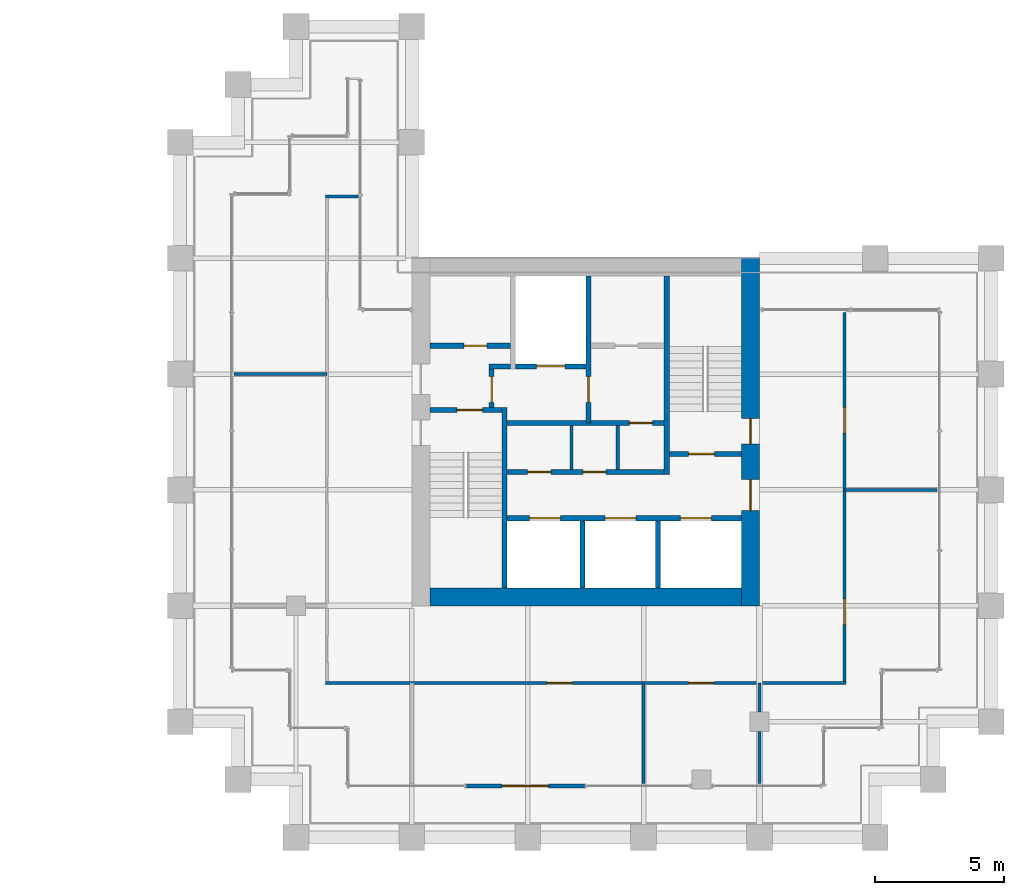
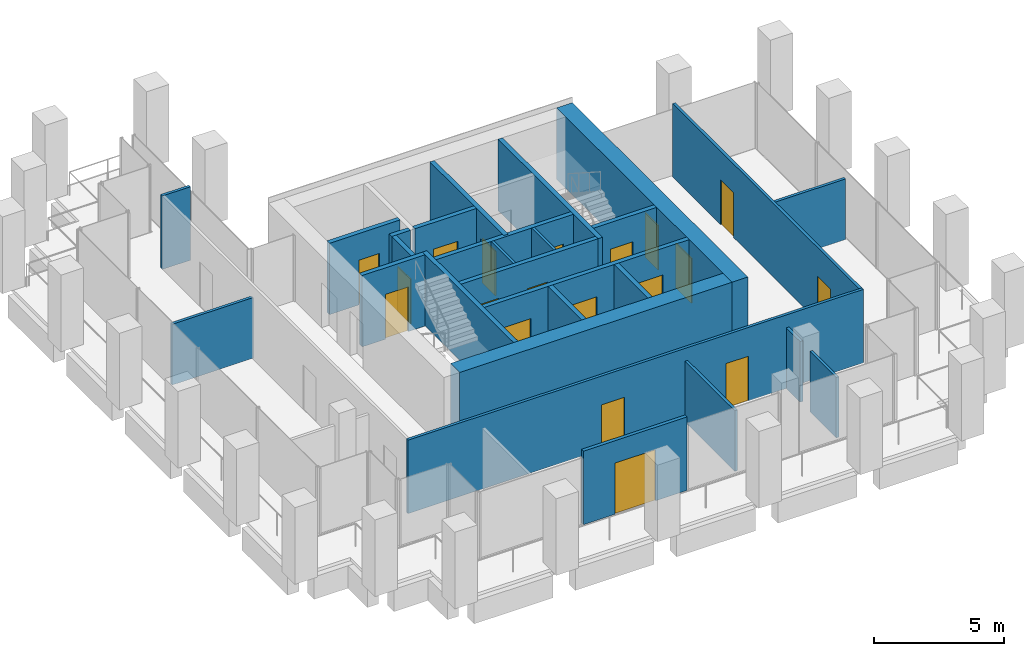
# One storey, part 43 of 46: 27 walls, 19 doors, 19 openings.
"""IFC4 building model written with IfcOpenShell, lengths in metres."""

from ifc_helpers import new_model, si_unit, direction, frame, frame_2d, origin, place, context, subcontext, project, spatial, rectangle, extrude, material, layer, layer_set, type_object, element, fill, save


model = new_model("IFC4")

# Units and contexts
model_context = context("Model", 3, precision=1e-05, world=origin(), true_north=direction((0.0, 1.0)))
body_context = subcontext(model_context, "Body", "Model", "MODEL_VIEW")
ifc_project = project(units=[si_unit("LENGTHUNIT", "METRE"), si_unit("AREAUNIT", "SQUARE_METRE"), si_unit("VOLUMEUNIT", "CUBIC_METRE"), si_unit("PLANEANGLEUNIT", "RADIAN"), si_unit("MASSUNIT", "GRAM", prefix="KILO")], contexts=[model_context])

# Site, building, storey
site_placement = place(None, origin())
site = spatial("IfcSite", under=ifc_project, at=site_placement, CompositionType="ELEMENT")
building_placement = place(site_placement, origin())
building = spatial("IfcBuilding", under=site, at=building_placement, Name="Altepetl Exchange Towers", CompositionType="ELEMENT")
storey_placement = place(building_placement, frame((0.0, 0.0, 128.0)))
storey = spatial("IfcBuildingStorey", under=building, at=storey_placement, Name="L31", CompositionType="ELEMENT", Elevation=128.0)

# Wall, openings, doors
ifc_material_1 = material(Name="Concrete C70/85", Category="concrete")
ifc_layer_1 = layer(ifc_material_1, 0.699951171875)
ifc_layer_set_1 = layer_set([ifc_layer_1], Name="Concrete C70/85")
wall_type_1 = type_object("IfcWallType", Name="Core wall 700 reinforced concrete", PredefinedType="SHEAR", material=ifc_layer_set_1)
wall_1_placement = place(storey_placement, frame((116.64990234375, 36.0, 0.0), z_axis=(0.0, 0.0, 1.0), x_axis=(0.0, 1.0, 0.0)))
wall_1 = element("IfcWall", 1, at=wall_1_placement, inside=storey, type_object=wall_type_1, Name="wall:B:L31:K-coreE", PredefinedType="SHEAR", context=body_context, shape_type="SweptSolid", body=[
    extrude(rectangle(XDim=13.5, YDim=0.699951171875, at=frame_2d((6.75, 0.0))), origin(), (0.0, 0.0, 1.0), 3.35009765625),
])
opening_1_placement = place(wall_1_placement, frame((3.699951171875, 0.0, 0.0)))
opening_1 = element("IfcOpeningElement", 2, at=opening_1_placement, cuts=wall_1, Name="Opening L31.B61", PredefinedType="OPENING", context=body_context, shape_type="SweptSolid", body=[
    extrude(rectangle(XDim=1.199951171875, YDim=2.10009765625, at=frame_2d((0.60009765625, 1.050048828125))), frame((0.0, 0.35986328125, 0.0), z_axis=(0.0, -1.0, 0.0), x_axis=(1.0, 0.0, 0.0)), (0.0, 0.0, 1.0), 0.719970703125),
])
opening_2_placement = place(wall_1_placement, frame((6.27490234375, 0.0, 0.0)))
opening_2 = element("IfcOpeningElement", 3, at=opening_2_placement, cuts=wall_1, Name="Opening L31.B65", PredefinedType="OPENING", context=body_context, shape_type="SweptSolid", body=[
    extrude(rectangle(XDim=1.0, YDim=2.10009765625, at=frame_2d((0.5, 1.050048828125))), frame((0.0, 0.35986328125, 0.0), z_axis=(0.0, -1.0, 0.0), x_axis=(1.0, 0.0, 0.0)), (0.0, 0.0, 1.0), 0.719970703125),
])
ifc_material_2 = material(Name="Steel and timber fire door", Category="steel")
door_type_1 = type_object("IfcDoorType", Name="Fire door 1000 x 2100 stair and lobby", OperationType="SINGLE_SWING_LEFT", PredefinedType="DOOR", material=ifc_material_2)
door_1_placement = place(opening_2_placement, origin())
door_1 = element("IfcDoor", 4, at=door_1_placement, inside=storey, type_object=door_type_1, Name="door:B:L31:K-dS2x", OperationType="SINGLE_SWING_LEFT", OverallHeight=2.10009765625, OverallWidth=1.0, PredefinedType="DOOR", context=body_context, shape_type="SweptSolid", body=[
    extrude(rectangle(XDim=1.0, YDim=2.10009765625, at=frame_2d((0.5, 1.050048828125))), frame((0.0, 0.02490234375, 0.0), z_axis=(0.0, -1.0, 0.0), x_axis=(1.0, 0.0, 0.0)), (0.0, 0.0, 1.0), 0.050048828125),
])
fill(opening_2, door_1)
door_type_2 = type_object("IfcDoorType", Name="Fire door 1200 x 2100 lobby entry", OperationType="SINGLE_SWING_LEFT", PredefinedType="DOOR", material=ifc_material_2)
door_2_placement = place(opening_1_placement, origin())
door_2 = element("IfcDoor", 5, at=door_2_placement, inside=storey, type_object=door_type_2, Name="door:B:L31:K-dLSE", OperationType="SINGLE_SWING_RIGHT", OverallHeight=2.10009765625, OverallWidth=1.199951171875, PredefinedType="DOOR", context=body_context, shape_type="SweptSolid", body=[
    extrude(rectangle(XDim=1.199951171875, YDim=2.10009765625, at=frame_2d((0.60009765625, 1.050048828125))), frame((0.0, 0.02490234375, 0.0), z_axis=(0.0, -1.0, 0.0), x_axis=(1.0, 0.0, 0.0)), (0.0, 0.0, 1.0), 0.050048828125),
])
fill(opening_1, door_2)

# Wall
wall_2_placement = place(storey_placement, frame((104.199951171875, 36.35009765625, 0.0)))
element("IfcWall", 6, at=wall_2_placement, inside=storey, type_object=wall_type_1, Name="wall:B:L31:K-coreS", PredefinedType="SHEAR", context=body_context, shape_type="SweptSolid", body=[
    extrude(rectangle(XDim=12.10009765625, YDim=0.699951171875, at=frame_2d((6.050048828125, 0.0))), origin(), (0.0, 0.0, 1.0), 3.35009765625),
])

# Wall, opening, door
ifc_material_3 = material(Name="Aluminium composite cladding", Category="aluminium")
ifc_layer_2 = layer(ifc_material_3, 0.14990234375)
ifc_layer_set_2 = layer_set([ifc_layer_2], Name="Aluminium composite cladding")
wall_type_2 = type_object("IfcWallType", Name="Infill wall 150 aluminium panel", PredefinedType="SOLIDWALL", material=ifc_layer_set_2)
wall_3_placement = place(storey_placement, frame((105.606201171875, 29.0, 0.0)))
wall_3 = element("IfcWall", 7, at=wall_3_placement, inside=storey, type_object=wall_type_2, Name="Loggia door bay wall", PredefinedType="SOLIDWALL", context=body_context, shape_type="SweptSolid", body=[
    extrude(rectangle(XDim=4.606201171875, YDim=0.14990234375, at=frame_2d((2.30322265625, 0.0))), origin(), (0.0, 0.0, 1.0), 3.449951171875),
])
opening_3_placement = place(wall_3_placement, frame((1.403076171875, 0.0, 0.0)))
opening_3 = element("IfcOpeningElement", 8, at=opening_3_placement, cuts=wall_3, Name="Opening L31.B90", PredefinedType="OPENING", context=body_context, shape_type="SweptSolid", body=[
    extrude(rectangle(XDim=1.800048828125, YDim=2.39990234375, at=frame_2d((0.89990234375, 1.199951171875))), frame((0.0, 0.0849609375, 0.0), z_axis=(0.0, -1.0, 0.0), x_axis=(1.0, 0.0, 0.0)), (0.0, 0.0, 1.0), 0.169921875),
])
ifc_material_4 = material(Name="Aluminium 6063-T6 and glass", Category="aluminium")
door_type_3 = type_object("IfcDoorType", Name="Glazed door pair 1800x2400", OperationType="DOUBLE_DOOR_DOUBLE_SWING", PredefinedType="NOTDEFINED", material=ifc_material_4)
door_3_placement = place(opening_3_placement, frame((1.800048828125, 0.0, 0.0), x_axis=(-1.0, 0.0, 0.0)))
door_3 = element("IfcDoor", 9, at=door_3_placement, inside=storey, type_object=door_type_3, Name="Loggia door", OperationType="DOUBLE_DOOR_DOUBLE_SWING", OverallHeight=2.39990234375, OverallWidth=1.800048828125, PredefinedType="NOTDEFINED", context=body_context, shape_type="SweptSolid", body=[
    extrude(rectangle(XDim=1.800048828125, YDim=2.39990234375, at=frame_2d((0.89990234375, 1.199951171875))), frame((0.0, 0.02490234375, 0.0), z_axis=(0.0, -1.0, 0.0), x_axis=(1.0, 0.0, 0.0)), (0.0, 0.0, 1.0), 0.050048828125),
])
fill(opening_3, door_3)

# Wall
ifc_material_5 = material(Name="Concrete blockwork", Category="masonry")
ifc_layer_3 = layer(ifc_material_5, 0.199951171875)
ifc_layer_set_3 = layer_set([ifc_layer_3], Name="Concrete blockwork")
wall_type_3 = type_object("IfcWallType", Name="Lobby wall 200 blockwork", PredefinedType="PARTITIONING", material=ifc_layer_set_3)
wall_4_placement = place(storey_placement, frame((106.5, 45.300048828125, 0.0)))
element("IfcWall", 10, at=wall_4_placement, inside=storey, type_object=wall_type_3, Name="wall:B:L31:K-ffNw", PredefinedType="PARTITIONING", context=body_context, shape_type="SweptSolid", body=[
    extrude(rectangle(XDim=0.833251953125, YDim=0.199951171875, at=frame_2d((0.41650390625, 0.0))), origin(), (0.0, 0.0, 1.0), 3.35009765625),
])

# Wall, opening, door
wall_5_placement = place(storey_placement, frame((106.60009765625, 43.699951171875, 0.0), z_axis=(0.0, 0.0, 1.0), x_axis=(0.0, 1.0, 0.0)))
wall_5 = element("IfcWall", 11, at=wall_5_placement, inside=storey, type_object=wall_type_3, Name="wall:B:L31:K-ffW", PredefinedType="PARTITIONING", context=body_context, shape_type="SweptSolid", body=[
    extrude(rectangle(XDim=1.5, YDim=0.199951171875, at=frame_2d((0.75, 0.0))), origin(), (0.0, 0.0, 1.0), 3.35009765625),
])
opening_4_placement = place(wall_5_placement, frame((0.199951171875, 0.0, 0.0)))
opening_4 = element("IfcOpeningElement", 12, at=opening_4_placement, cuts=wall_5, Name="Opening L31.B67", PredefinedType="OPENING", context=body_context, shape_type="SweptSolid", body=[
    extrude(rectangle(XDim=1.0, YDim=2.10009765625, at=frame_2d((0.5, 1.050048828125))), frame((0.0, 0.10986328125, 0.0), z_axis=(0.0, -1.0, 0.0), x_axis=(1.0, 0.0, 0.0)), (0.0, 0.0, 1.0), 0.219970703125),
])
door_4_placement = place(opening_4_placement, frame((1.0, 0.0, 0.0), x_axis=(-1.0, 0.0, 0.0)))
door_4 = element("IfcDoor", 13, at=door_4_placement, inside=storey, type_object=door_type_1, Name="door:B:L31:K-dffW", OperationType="SINGLE_SWING_LEFT", OverallHeight=2.10009765625, OverallWidth=1.0, PredefinedType="DOOR", context=body_context, shape_type="SweptSolid", body=[
    extrude(rectangle(XDim=1.0, YDim=2.10009765625, at=frame_2d((0.5, 1.050048828125))), frame((0.0, 0.02490234375, 0.0), z_axis=(0.0, -1.0, 0.0), x_axis=(1.0, 0.0, 0.0)), (0.0, 0.0, 1.0), 0.050048828125),
])
fill(opening_4, door_4)

wall_6_placement = place(storey_placement, frame((107.199951171875, 43.10009765625, 0.0)))
wall_6 = element("IfcWall", 14, at=wall_6_placement, inside=storey, type_object=wall_type_3, Name="wall:B:L31:K-zoneN", PredefinedType="PARTITIONING", context=body_context, shape_type="SweptSolid", body=[
    extrude(rectangle(XDim=6.10009765625, YDim=0.199951171875, at=frame_2d((3.050048828125, 0.0))), origin(), (0.0, 0.0, 1.0), 3.35009765625),
])
opening_5_placement = place(wall_6_placement, frame((4.75, 0.0, 0.0)))
opening_5 = element("IfcOpeningElement", 15, at=opening_5_placement, cuts=wall_6, Name="Opening L31.B72", PredefinedType="OPENING", context=body_context, shape_type="SweptSolid", body=[
    extrude(rectangle(XDim=0.89990234375, YDim=2.10009765625, at=frame_2d((0.449951171875, 1.050048828125))), frame((0.0, 0.10986328125, 0.0), z_axis=(0.0, -1.0, 0.0), x_axis=(1.0, 0.0, 0.0)), (0.0, 0.0, 1.0), 0.219970703125),
])
door_type_4 = type_object("IfcDoorType", Name="Fire door 900 x 2100 service room", OperationType="SINGLE_SWING_LEFT", PredefinedType="DOOR", material=ifc_material_2)
door_5_placement = place(opening_5_placement, frame((0.89990234375, 0.0, 0.0), x_axis=(-1.0, 0.0, 0.0)))
door_5 = element("IfcDoor", 16, at=door_5_placement, inside=storey, type_object=door_type_4, Name="door:B:L31:K-dz3", OperationType="SINGLE_SWING_RIGHT", OverallHeight=2.10009765625, OverallWidth=0.89990234375, PredefinedType="DOOR", context=body_context, shape_type="SweptSolid", body=[
    extrude(rectangle(XDim=0.89990234375, YDim=2.10009765625, at=frame_2d((0.449951171875, 1.050048828125))), frame((0.0, 0.02490234375, 0.0), z_axis=(0.0, -1.0, 0.0), x_axis=(1.0, 0.0, 0.0)), (0.0, 0.0, 1.0), 0.050048828125),
])
fill(opening_5, door_5)

# Wall, openings, doors
wall_7_placement = place(storey_placement, frame((107.199951171875, 41.199951171875, 0.0)))
wall_7 = element("IfcWall", 17, at=wall_7_placement, inside=storey, type_object=wall_type_3, Name="wall:B:L31:K-zoneS", PredefinedType="PARTITIONING", context=body_context, shape_type="SweptSolid", body=[
    extrude(rectangle(XDim=6.10009765625, YDim=0.199951171875, at=frame_2d((3.050048828125, 0.0))), origin(), (0.0, 0.0, 1.0), 3.35009765625),
])
opening_6_placement = place(wall_7_placement, frame((0.800048828125, 0.0, 0.0)))
opening_6 = element("IfcOpeningElement", 18, at=opening_6_placement, cuts=wall_7, Name="Opening L31.B70", PredefinedType="OPENING", context=body_context, shape_type="SweptSolid", body=[
    extrude(rectangle(XDim=0.89990234375, YDim=2.10009765625, at=frame_2d((0.449951171875, 1.050048828125))), frame((0.0, 0.10986328125, 0.0), z_axis=(0.0, -1.0, 0.0), x_axis=(1.0, 0.0, 0.0)), (0.0, 0.0, 1.0), 0.219970703125),
])
opening_7_placement = place(wall_7_placement, frame((2.949951171875, 0.0, 0.0)))
opening_7 = element("IfcOpeningElement", 19, at=opening_7_placement, cuts=wall_7, Name="Opening L31.B71", PredefinedType="OPENING", context=body_context, shape_type="SweptSolid", body=[
    extrude(rectangle(XDim=0.89990234375, YDim=2.10009765625, at=frame_2d((0.449951171875, 1.050048828125))), frame((0.0, 0.10986328125, 0.0), z_axis=(0.0, -1.0, 0.0), x_axis=(1.0, 0.0, 0.0)), (0.0, 0.0, 1.0), 0.219970703125),
])
door_6_placement = place(opening_6_placement, origin())
door_6 = element("IfcDoor", 20, at=door_6_placement, inside=storey, type_object=door_type_4, Name="door:B:L31:K-dz1", OperationType="SINGLE_SWING_RIGHT", OverallHeight=2.10009765625, OverallWidth=0.89990234375, PredefinedType="DOOR", context=body_context, shape_type="SweptSolid", body=[
    extrude(rectangle(XDim=0.89990234375, YDim=2.10009765625, at=frame_2d((0.449951171875, 1.050048828125))), frame((0.0, 0.02490234375, 0.0), z_axis=(0.0, -1.0, 0.0), x_axis=(1.0, 0.0, 0.0)), (0.0, 0.0, 1.0), 0.050048828125),
])
fill(opening_6, door_6)
door_7_placement = place(opening_7_placement, origin())
door_7 = element("IfcDoor", 21, at=door_7_placement, inside=storey, type_object=door_type_4, Name="door:B:L31:K-dz2", OperationType="SINGLE_SWING_RIGHT", OverallHeight=2.10009765625, OverallWidth=0.89990234375, PredefinedType="DOOR", context=body_context, shape_type="SweptSolid", body=[
    extrude(rectangle(XDim=0.89990234375, YDim=2.10009765625, at=frame_2d((0.449951171875, 1.050048828125))), frame((0.0, 0.02490234375, 0.0), z_axis=(0.0, -1.0, 0.0), x_axis=(1.0, 0.0, 0.0)), (0.0, 0.0, 1.0), 0.050048828125),
])
fill(opening_7, door_7)

# Walls
ifc_material_6 = material(Name="Gypsum board on steel studs", Category="steel")
ifc_layer_4 = layer(ifc_material_6, 0.125)
ifc_layer_set_4 = layer_set([ifc_layer_4], Name="Gypsum board on steel studs")
wall_type_4 = type_object("IfcWallType", Name="Partition 125 gypsum board on steel studs", PredefinedType="PARTITIONING", material=ifc_layer_set_4)
for number, where, z_axis, x_axis, name in (
    (22, (109.699951171875, 41.300048828125, 0.0), (0.0, 0.0, 1.0), (0.0, 1.0, 0.0), "wall:B:L31:K-zp1"),
    (23, (111.5, 41.300048828125, 0.0), (0.0, 0.0, 1.0), (0.0, 1.0, 0.0), "wall:B:L31:K-zp2"),
):
    element("IfcWall", number, at=place(storey_placement, frame(where, z_axis=z_axis, x_axis=x_axis)), inside=storey, type_object=wall_type_4, Name=name, PredefinedType="PARTITIONING", context=body_context, shape_type="SweptSolid", body=[
        extrude(rectangle(XDim=1.699951171875, YDim=0.125, at=frame_2d((0.85009765625, 0.0))), origin(), (0.0, 0.0, 1.0), 3.35009765625),
    ])

# Wall, openings, doors
wall_8_placement = place(storey_placement, frame((100.137451171875, 33.0, 0.0)))
wall_8 = element("IfcWall", 24, at=wall_8_placement, inside=storey, type_object=wall_type_4, Name="wall:B:L31:P01", PredefinedType="PARTITIONING", context=body_context, shape_type="SweptSolid", body=[
    extrude(rectangle(XDim=20.22509765625, YDim=0.125, at=frame_2d((10.112548828125, 0.0))), origin(), (0.0, 0.0, 1.0), 3.449951171875),
])
opening_8_placement = place(wall_8_placement, frame((8.60546875, 0.0, 0.0)))
opening_8 = element("IfcOpeningElement", 25, at=opening_8_placement, cuts=wall_8, Name="Opening L31.B03", PredefinedType="OPENING", context=body_context, shape_type="SweptSolid", body=[
    extrude(rectangle(XDim=1.0, YDim=2.10009765625, at=frame_2d((0.5, 1.050048828125))), frame((0.0, 0.072509765625, 0.0), z_axis=(0.0, -1.0, 0.0), x_axis=(1.0, 0.0, 0.0)), (0.0, 0.0, 1.0), 0.14501953125),
])
opening_9_placement = place(wall_8_placement, frame((14.112548828125, 0.0, 0.0)))
opening_9 = element("IfcOpeningElement", 26, at=opening_9_placement, cuts=wall_8, Name="Opening L31.B04", PredefinedType="OPENING", context=body_context, shape_type="SweptSolid", body=[
    extrude(rectangle(XDim=1.0, YDim=2.10009765625, at=frame_2d((0.5, 1.050048828125))), frame((0.0, 0.072509765625, 0.0), z_axis=(0.0, -1.0, 0.0), x_axis=(1.0, 0.0, 0.0)), (0.0, 0.0, 1.0), 0.14501953125),
])
door_type_5 = type_object("IfcDoorType", Name="Fire door 1000 x 2100 single leaf", OperationType="SINGLE_SWING_LEFT", PredefinedType="DOOR", material=ifc_material_2)
door_8_placement = place(opening_8_placement, frame((1.0, 0.0, 0.0), x_axis=(-1.0, 0.0, 0.0)))
door_8 = element("IfcDoor", 27, at=door_8_placement, inside=storey, type_object=door_type_5, Name="door:B:L31:03", OperationType="SINGLE_SWING_LEFT", OverallHeight=2.10009765625, OverallWidth=1.0, PredefinedType="DOOR", context=body_context, shape_type="SweptSolid", body=[
    extrude(rectangle(XDim=1.0, YDim=2.10009765625, at=frame_2d((0.5, 1.050048828125))), frame((0.0, 0.02490234375, 0.0), z_axis=(0.0, -1.0, 0.0), x_axis=(1.0, 0.0, 0.0)), (0.0, 0.0, 1.0), 0.050048828125),
])
fill(opening_8, door_8)
door_9_placement = place(opening_9_placement, frame((1.0, 0.0, 0.0), x_axis=(-1.0, 0.0, 0.0)))
door_9 = element("IfcDoor", 28, at=door_9_placement, inside=storey, type_object=door_type_5, Name="door:B:L31:04", OperationType="SINGLE_SWING_LEFT", OverallHeight=2.10009765625, OverallWidth=1.0, PredefinedType="DOOR", context=body_context, shape_type="SweptSolid", body=[
    extrude(rectangle(XDim=1.0, YDim=2.10009765625, at=frame_2d((0.5, 1.050048828125))), frame((0.0, 0.02490234375, 0.0), z_axis=(0.0, -1.0, 0.0), x_axis=(1.0, 0.0, 0.0)), (0.0, 0.0, 1.0), 0.050048828125),
])
fill(opening_9, door_9)

# Walls
for number, where, name in (
    (29, (120.300048828125, 40.5, 0.0), "wall:B:L31:P04"),
    (30, (96.60009765625, 45.0, 0.0), "wall:B:L31:P05"),
):
    element("IfcWall", number, at=place(storey_placement, frame(where)), inside=storey, type_object=wall_type_4, Name=name, PredefinedType="PARTITIONING", context=body_context, shape_type="SweptSolid", body=[
        extrude(rectangle(XDim=3.599853515625, YDim=0.125, at=frame_2d((1.7998046875, 0.0))), origin(), (0.0, 0.0, 1.0), 2.85107421875),
    ])
wall_9_placement = place(storey_placement, frame((100.137451171875, 51.89990234375, 0.0)))
element("IfcWall", 31, at=wall_9_placement, inside=storey, type_object=wall_type_4, Name="wall:B:L31:P06", PredefinedType="PARTITIONING", context=body_context, shape_type="SweptSolid", body=[
    extrude(rectangle(XDim=1.262451171875, YDim=0.125, at=frame_2d((0.63134765625, 0.0))), origin(), (0.0, 0.0, 1.0), 3.449951171875),
])
wall_10_placement = place(storey_placement, frame((112.5, 29.10009765625, 0.0), z_axis=(0.0, 0.0, 1.0), x_axis=(0.0, 1.0, 0.0)))
element("IfcWall", 32, at=wall_10_placement, inside=storey, type_object=wall_type_4, Name="wall:B:L31:P09", PredefinedType="PARTITIONING", context=body_context, shape_type="SweptSolid", body=[
    extrude(rectangle(XDim=3.89990234375, YDim=0.125, at=frame_2d((1.949951171875, 0.0))), origin(), (0.0, 0.0, 1.0), 2.85107421875),
])
wall_11_placement = place(storey_placement, frame((117.0, 29.10009765625, 0.0), z_axis=(0.0, 0.0, 1.0), x_axis=(0.0, 1.0, 0.0)))
element("IfcWall", 33, at=wall_11_placement, inside=storey, type_object=wall_type_4, Name="wall:B:L31:P10", PredefinedType="PARTITIONING", context=body_context, shape_type="SweptSolid", body=[
    extrude(rectangle(XDim=2.02490234375, YDim=0.125, at=frame_2d((1.012451171875, 0.0))), origin(), (0.0, 0.0, 1.0), 2.842041015625),
])
wall_12_placement = place(storey_placement, frame((117.0, 31.875, 0.0), z_axis=(0.0, 0.0, 1.0), x_axis=(0.0, 1.0, 0.0)))
element("IfcWall", 34, at=wall_12_placement, inside=storey, type_object=wall_type_4, Name="wall:B:L31:P11", PredefinedType="PARTITIONING", context=body_context, shape_type="SweptSolid", body=[
    extrude(rectangle(XDim=1.125, YDim=0.125, at=frame_2d((0.5625, 0.0))), origin(), (0.0, 0.0, 1.0), 2.842041015625),
])

# Wall, openings, doors
wall_13_placement = place(storey_placement, frame((120.300048828125, 33.0625, 0.0), z_axis=(0.0, 0.0, 1.0), x_axis=(0.0, 1.0, 0.0)))
wall_13 = element("IfcWall", 35, at=wall_13_placement, inside=storey, type_object=wall_type_4, Name="wall:B:L31:P12", PredefinedType="PARTITIONING", context=body_context, shape_type="SweptSolid", body=[
    extrude(rectangle(XDim=14.33740234375, YDim=0.125, at=frame_2d((7.168701171875, 0.0))), origin(), (0.0, 0.0, 1.0), 3.449951171875),
])
opening_10_placement = place(wall_13_placement, frame((2.20751953125, 0.0, 0.0)))
opening_10 = element("IfcOpeningElement", 36, at=opening_10_placement, cuts=wall_13, Name="Opening L31.B05", PredefinedType="OPENING", context=body_context, shape_type="SweptSolid", body=[
    extrude(rectangle(XDim=1.0, YDim=2.10009765625, at=frame_2d((0.5, 1.050048828125))), frame((0.0, 0.072509765625, 0.0), z_axis=(0.0, -1.0, 0.0), x_axis=(1.0, 0.0, 0.0)), (0.0, 0.0, 1.0), 0.14501953125),
])
opening_11_placement = place(wall_13_placement, frame((9.642578125, 0.0, 0.0)))
opening_11 = element("IfcOpeningElement", 37, at=opening_11_placement, cuts=wall_13, Name="Opening L31.B06", PredefinedType="OPENING", context=body_context, shape_type="SweptSolid", body=[
    extrude(rectangle(XDim=1.0, YDim=2.10009765625, at=frame_2d((0.5, 1.050048828125))), frame((0.0, 0.072509765625, 0.0), z_axis=(0.0, -1.0, 0.0), x_axis=(1.0, 0.0, 0.0)), (0.0, 0.0, 1.0), 0.14501953125),
])
door_10_placement = place(opening_10_placement, frame((1.0, 0.0, 0.0), x_axis=(-1.0, 0.0, 0.0)))
door_10 = element("IfcDoor", 38, at=door_10_placement, inside=storey, type_object=door_type_5, Name="door:B:L31:05", OperationType="SINGLE_SWING_RIGHT", OverallHeight=2.10009765625, OverallWidth=1.0, PredefinedType="DOOR", context=body_context, shape_type="SweptSolid", body=[
    extrude(rectangle(XDim=1.0, YDim=2.10009765625, at=frame_2d((0.5, 1.050048828125))), frame((0.0, 0.02490234375, 0.0), z_axis=(0.0, -1.0, 0.0), x_axis=(1.0, 0.0, 0.0)), (0.0, 0.0, 1.0), 0.050048828125),
])
fill(opening_10, door_10)
door_11_placement = place(opening_11_placement, frame((1.0, 0.0, 0.0), x_axis=(-1.0, 0.0, 0.0)))
door_11 = element("IfcDoor", 39, at=door_11_placement, inside=storey, type_object=door_type_5, Name="door:B:L31:06", OperationType="SINGLE_SWING_RIGHT", OverallHeight=2.10009765625, OverallWidth=1.0, PredefinedType="DOOR", context=body_context, shape_type="SweptSolid", body=[
    extrude(rectangle(XDim=1.0, YDim=2.10009765625, at=frame_2d((0.5, 1.050048828125))), frame((0.0, 0.02490234375, 0.0), z_axis=(0.0, -1.0, 0.0), x_axis=(1.0, 0.0, 0.0)), (0.0, 0.0, 1.0), 0.050048828125),
])
fill(opening_11, door_11)

# Wall, opening, door
ifc_material_7 = material(Name="Concrete C40/50", Category="concrete")
ifc_layer_5 = layer(ifc_material_7, 0.199951171875)
ifc_layer_set_5 = layer_set([ifc_layer_5], Name="Concrete C40/50")
wall_type_5 = type_object("IfcWallType", Name="Shaft wall 200 reinforced concrete", PredefinedType="SHEAR", material=ifc_layer_set_5)
wall_14_placement = place(storey_placement, frame((110.36669921875, 48.800048828125, 0.0), z_axis=(0.0, 0.0, 1.0), x_axis=(0.0, -1.0, 0.0)))
wall_14 = element("IfcWall", 40, at=wall_14_placement, inside=storey, type_object=wall_type_5, Name="wall:B:L31:K-divN2", PredefinedType="SHEAR", context=body_context, shape_type="SweptSolid", body=[
    extrude(rectangle(XDim=5.699951171875, YDim=0.199951171875, at=frame_2d((2.85009765625, 0.0))), origin(), (0.0, 0.0, 1.0), 3.35009765625),
])
opening_12_placement = place(wall_14_placement, frame((3.89990234375, 0.0, 0.0)))
opening_12 = element("IfcOpeningElement", 41, at=opening_12_placement, cuts=wall_14, Name="Opening L31.B66", PredefinedType="OPENING", context=body_context, shape_type="SweptSolid", body=[
    extrude(rectangle(XDim=1.0, YDim=2.10009765625, at=frame_2d((0.5, 1.050048828125))), frame((0.0, 0.10986328125, 0.0), z_axis=(0.0, -1.0, 0.0), x_axis=(1.0, 0.0, 0.0)), (0.0, 0.0, 1.0), 0.219970703125),
])
door_12_placement = place(opening_12_placement, frame((1.0, 0.0, 0.0), x_axis=(-1.0, 0.0, 0.0)))
door_12 = element("IfcDoor", 42, at=door_12_placement, inside=storey, type_object=door_type_1, Name="door:B:L31:K-dffE", OperationType="SINGLE_SWING_RIGHT", OverallHeight=2.10009765625, OverallWidth=1.0, PredefinedType="DOOR", context=body_context, shape_type="SweptSolid", body=[
    extrude(rectangle(XDim=1.0, YDim=2.10009765625, at=frame_2d((0.5, 1.050048828125))), frame((0.0, 0.02490234375, 0.0), z_axis=(0.0, -1.0, 0.0), x_axis=(1.0, 0.0, 0.0)), (0.0, 0.0, 1.0), 0.050048828125),
])
fill(opening_12, door_12)

# Walls
for number, where, z_axis, x_axis, name in (
    (43, (110.13330078125, 36.699951171875, 0.0), (0.0, 0.0, 1.0), (0.0, 1.0, 0.0), "wall:B:L31:K-divS1"),
    (44, (113.066650390625, 36.699951171875, 0.0), (0.0, 0.0, 1.0), (0.0, 1.0, 0.0), "wall:B:L31:K-divS2"),
):
    element("IfcWall", number, at=place(storey_placement, frame(where, z_axis=z_axis, x_axis=x_axis)), inside=storey, type_object=wall_type_5, Name=name, PredefinedType="SHEAR", context=body_context, shape_type="SweptSolid", body=[
        extrude(rectangle(XDim=2.60009765625, YDim=0.199951171875, at=frame_2d((1.300048828125, 0.0))), origin(), (0.0, 0.0, 1.0), 3.35009765625),
    ])

# Wall, opening, door
wall_15_placement = place(storey_placement, frame((104.199951171875, 46.10009765625, 0.0)))
wall_15 = element("IfcWall", 45, at=wall_15_placement, inside=storey, type_object=wall_type_5, Name="wall:B:L31:K-frontNa", PredefinedType="SHEAR", context=body_context, shape_type="SweptSolid", body=[
    extrude(rectangle(XDim=3.13330078125, YDim=0.199951171875, at=frame_2d((1.566650390625, 0.0))), origin(), (0.0, 0.0, 1.0), 3.35009765625),
])
opening_13_placement = place(wall_15_placement, frame((1.316650390625, 0.0, 0.0)))
opening_13 = element("IfcOpeningElement", 46, at=opening_13_placement, cuts=wall_15, Name="Opening L31.B68", PredefinedType="OPENING", context=body_context, shape_type="SweptSolid", body=[
    extrude(rectangle(XDim=0.89990234375, YDim=2.10009765625, at=frame_2d((0.449951171875, 1.050048828125))), frame((0.0, 0.10986328125, 0.0), z_axis=(0.0, -1.0, 0.0), x_axis=(1.0, 0.0, 0.0)), (0.0, 0.0, 1.0), 0.219970703125),
])
door_13_placement = place(opening_13_placement, origin())
door_13 = element("IfcDoor", 47, at=door_13_placement, inside=storey, type_object=door_type_4, Name="door:B:L31:K-dslotN0", OperationType="SINGLE_SWING_RIGHT", OverallHeight=2.10009765625, OverallWidth=0.89990234375, PredefinedType="DOOR", context=body_context, shape_type="SweptSolid", body=[
    extrude(rectangle(XDim=0.89990234375, YDim=2.10009765625, at=frame_2d((0.449951171875, 1.050048828125))), frame((0.0, 0.02490234375, 0.0), z_axis=(0.0, -1.0, 0.0), x_axis=(1.0, 0.0, 0.0)), (0.0, 0.0, 1.0), 0.050048828125),
])
fill(opening_13, door_13)

wall_16_placement = place(storey_placement, frame((107.533203125, 45.300048828125, 0.0)))
wall_16 = element("IfcWall", 48, at=wall_16_placement, inside=storey, type_object=wall_type_5, Name="wall:B:L31:K-frontNd", PredefinedType="SHEAR", context=body_context, shape_type="SweptSolid", body=[
    extrude(rectangle(XDim=2.7333984375, YDim=0.199951171875, at=frame_2d((1.36669921875, 0.0))), origin(), (0.0, 0.0, 1.0), 3.35009765625),
])
opening_14_placement = place(wall_16_placement, frame((0.816650390625, 0.0, 0.0)))
opening_14 = element("IfcOpeningElement", 49, at=opening_14_placement, cuts=wall_16, Name="Opening L31.B73", PredefinedType="OPENING", context=body_context, shape_type="SweptSolid", body=[
    extrude(rectangle(XDim=1.10009765625, YDim=2.10009765625, at=frame_2d((0.550048828125, 1.050048828125))), frame((0.0, 0.10986328125, 0.0), z_axis=(0.0, -1.0, 0.0), x_axis=(1.0, 0.0, 0.0)), (0.0, 0.0, 1.0), 0.219970703125),
])
ifc_material_8 = material(Name="Stainless steel", Category="steel")
door_type_6 = type_object("IfcDoorType", Name="Lift landing door 1100 x 2100", OperationType="SLIDING_TO_LEFT", PredefinedType="DOOR", material=ifc_material_8)
door_14_placement = place(opening_14_placement, origin())
door_14 = element("IfcDoor", 50, at=door_14_placement, inside=storey, type_object=door_type_6, Name="Landing door FFL1", OperationType="SLIDING_TO_LEFT", OverallHeight=2.10009765625, OverallWidth=1.10009765625, PredefinedType="DOOR", context=body_context, shape_type="SweptSolid", body=[
    extrude(rectangle(XDim=1.10009765625, YDim=2.10009765625, at=frame_2d((0.550048828125, 1.050048828125))), frame((0.0, 0.02490234375, 0.0), z_axis=(0.0, -1.0, 0.0), x_axis=(1.0, 0.0, 0.0)), (0.0, 0.0, 1.0), 0.050048828125),
])
fill(opening_14, door_14)

# Wall, openings, doors
wall_17_placement = place(storey_placement, frame((107.199951171875, 39.39990234375, 0.0)))
wall_17 = element("IfcWall", 51, at=wall_17_placement, inside=storey, type_object=wall_type_5, Name="wall:B:L31:K-frontS", PredefinedType="SHEAR", context=body_context, shape_type="SweptSolid", body=[
    extrude(rectangle(XDim=9.10009765625, YDim=0.199951171875, at=frame_2d((4.550048828125, 0.0))), origin(), (0.0, 0.0, 1.0), 3.35009765625),
])
opening_15_placement = place(wall_17_placement, frame((0.86669921875, 0.0, 0.0)))
opening_15 = element("IfcOpeningElement", 52, at=opening_15_placement, cuts=wall_17, Name="Opening L31.B74", PredefinedType="OPENING", context=body_context, shape_type="SweptSolid", body=[
    extrude(rectangle(XDim=1.199951171875, YDim=2.10009765625, at=frame_2d((0.60009765625, 1.050048828125))), frame((0.0, 0.10986328125, 0.0), z_axis=(0.0, -1.0, 0.0), x_axis=(1.0, 0.0, 0.0)), (0.0, 0.0, 1.0), 0.219970703125),
])
opening_16_placement = place(wall_17_placement, frame((3.800048828125, 0.0, 0.0)))
opening_16 = element("IfcOpeningElement", 53, at=opening_16_placement, cuts=wall_17, Name="Opening L31.B75", PredefinedType="OPENING", context=body_context, shape_type="SweptSolid", body=[
    extrude(rectangle(XDim=1.199951171875, YDim=2.10009765625, at=frame_2d((0.60009765625, 1.050048828125))), frame((0.0, 0.10986328125, 0.0), z_axis=(0.0, -1.0, 0.0), x_axis=(1.0, 0.0, 0.0)), (0.0, 0.0, 1.0), 0.219970703125),
])
opening_17_placement = place(wall_17_placement, frame((6.7333984375, 0.0, 0.0)))
opening_17 = element("IfcOpeningElement", 54, at=opening_17_placement, cuts=wall_17, Name="Opening L31.B76", PredefinedType="OPENING", context=body_context, shape_type="SweptSolid", body=[
    extrude(rectangle(XDim=1.199951171875, YDim=2.10009765625, at=frame_2d((0.60009765625, 1.050048828125))), frame((0.0, 0.10986328125, 0.0), z_axis=(0.0, -1.0, 0.0), x_axis=(1.0, 0.0, 0.0)), (0.0, 0.0, 1.0), 0.219970703125),
])
door_type_7 = type_object("IfcDoorType", Name="Lift landing door 1200 x 2100", OperationType="SLIDING_TO_LEFT", PredefinedType="DOOR", material=ifc_material_8)
door_15_placement = place(opening_15_placement, origin())
door_15 = element("IfcDoor", 55, at=door_15_placement, inside=storey, type_object=door_type_7, Name="Landing door P1", OperationType="SLIDING_TO_LEFT", OverallHeight=2.10009765625, OverallWidth=1.199951171875, PredefinedType="DOOR", context=body_context, shape_type="SweptSolid", body=[
    extrude(rectangle(XDim=1.199951171875, YDim=2.10009765625, at=frame_2d((0.60009765625, 1.050048828125))), frame((0.0, 0.02490234375, 0.0), z_axis=(0.0, -1.0, 0.0), x_axis=(1.0, 0.0, 0.0)), (0.0, 0.0, 1.0), 0.050048828125),
])
fill(opening_15, door_15)
door_16_placement = place(opening_16_placement, origin())
door_16 = element("IfcDoor", 56, at=door_16_placement, inside=storey, type_object=door_type_7, Name="Landing door P2", OperationType="SLIDING_TO_LEFT", OverallHeight=2.10009765625, OverallWidth=1.199951171875, PredefinedType="DOOR", context=body_context, shape_type="SweptSolid", body=[
    extrude(rectangle(XDim=1.199951171875, YDim=2.10009765625, at=frame_2d((0.60009765625, 1.050048828125))), frame((0.0, 0.02490234375, 0.0), z_axis=(0.0, -1.0, 0.0), x_axis=(1.0, 0.0, 0.0)), (0.0, 0.0, 1.0), 0.050048828125),
])
fill(opening_16, door_16)
door_17_placement = place(opening_17_placement, origin())
door_17 = element("IfcDoor", 57, at=door_17_placement, inside=storey, type_object=door_type_7, Name="Landing door P3", OperationType="SLIDING_TO_LEFT", OverallHeight=2.10009765625, OverallWidth=1.199951171875, PredefinedType="DOOR", context=body_context, shape_type="SweptSolid", body=[
    extrude(rectangle(XDim=1.199951171875, YDim=2.10009765625, at=frame_2d((0.60009765625, 1.050048828125))), frame((0.0, 0.02490234375, 0.0), z_axis=(0.0, -1.0, 0.0), x_axis=(1.0, 0.0, 0.0)), (0.0, 0.0, 1.0), 0.050048828125),
])
fill(opening_17, door_17)

# Wall
ifc_layer_6 = layer(ifc_material_7, 0.199951171875)
ifc_layer_set_6 = layer_set([ifc_layer_6], Name="Concrete C40/50")
wall_type_6 = type_object("IfcWallType", Name="Stair wall 200 reinforced concrete", PredefinedType="SHEAR", material=ifc_layer_set_6)
wall_18_placement = place(storey_placement, frame((107.10009765625, 36.699951171875, 0.0), z_axis=(0.0, 0.0, 1.0), x_axis=(0.0, 1.0, 0.0)))
element("IfcWall", 58, at=wall_18_placement, inside=storey, type_object=wall_type_6, Name="wall:B:L31:K-stS1E", PredefinedType="SHEAR", context=body_context, shape_type="SweptSolid", body=[
    extrude(rectangle(XDim=7.0, YDim=0.199951171875, at=frame_2d((3.5, 0.0))), origin(), (0.0, 0.0, 1.0), 3.35009765625),
])

# Wall, opening, door
wall_19_placement = place(storey_placement, frame((104.199951171875, 43.60009765625, 0.0)))
wall_19 = element("IfcWall", 59, at=wall_19_placement, inside=storey, type_object=wall_type_6, Name="wall:B:L31:K-stS1N", PredefinedType="SHEAR", context=body_context, shape_type="SweptSolid", body=[
    extrude(rectangle(XDim=2.800048828125, YDim=0.199951171875, at=frame_2d((1.39990234375, 0.0))), origin(), (0.0, 0.0, 1.0), 3.35009765625),
])
opening_18_placement = place(wall_19_placement, frame((1.050048828125, 0.0, 0.0)))
opening_18 = element("IfcOpeningElement", 60, at=opening_18_placement, cuts=wall_19, Name="Opening L31.B62", PredefinedType="OPENING", context=body_context, shape_type="SweptSolid", body=[
    extrude(rectangle(XDim=1.0, YDim=2.10009765625, at=frame_2d((0.5, 1.050048828125))), frame((0.0, 0.10986328125, 0.0), z_axis=(0.0, -1.0, 0.0), x_axis=(1.0, 0.0, 0.0)), (0.0, 0.0, 1.0), 0.219970703125),
])
door_18_placement = place(opening_18_placement, frame((1.0, 0.0, 0.0), x_axis=(-1.0, 0.0, 0.0)))
door_18 = element("IfcDoor", 61, at=door_18_placement, inside=storey, type_object=door_type_1, Name="door:B:L31:K-dS1in", OperationType="SINGLE_SWING_LEFT", OverallHeight=2.10009765625, OverallWidth=1.0, PredefinedType="DOOR", context=body_context, shape_type="SweptSolid", body=[
    extrude(rectangle(XDim=1.0, YDim=2.10009765625, at=frame_2d((0.5, 1.050048828125))), frame((0.0, 0.02490234375, 0.0), z_axis=(0.0, -1.0, 0.0), x_axis=(1.0, 0.0, 0.0)), (0.0, 0.0, 1.0), 0.050048828125),
])
fill(opening_18, door_18)

wall_20_placement = place(storey_placement, frame((113.5, 41.89990234375, 0.0)))
wall_20 = element("IfcWall", 62, at=wall_20_placement, inside=storey, type_object=wall_type_6, Name="wall:B:L31:K-stS2S", PredefinedType="SHEAR", context=body_context, shape_type="SweptSolid", body=[
    extrude(rectangle(XDim=2.800048828125, YDim=0.199951171875, at=frame_2d((1.39990234375, 0.0))), origin(), (0.0, 0.0, 1.0), 3.35009765625),
])
opening_19_placement = place(wall_20_placement, frame((0.75, 0.0, 0.0)))
opening_19 = element("IfcOpeningElement", 63, at=opening_19_placement, cuts=wall_20, Name="Opening L31.B64", PredefinedType="OPENING", context=body_context, shape_type="SweptSolid", body=[
    extrude(rectangle(XDim=1.0, YDim=2.10009765625, at=frame_2d((0.5, 1.050048828125))), frame((0.0, 0.10986328125, 0.0), z_axis=(0.0, -1.0, 0.0), x_axis=(1.0, 0.0, 0.0)), (0.0, 0.0, 1.0), 0.219970703125),
])
door_19_placement = place(opening_19_placement, origin())
door_19 = element("IfcDoor", 64, at=door_19_placement, inside=storey, type_object=door_type_1, Name="door:B:L31:K-dS2in", OperationType="SINGLE_SWING_RIGHT", OverallHeight=2.10009765625, OverallWidth=1.0, PredefinedType="DOOR", context=body_context, shape_type="SweptSolid", body=[
    extrude(rectangle(XDim=1.0, YDim=2.10009765625, at=frame_2d((0.5, 1.050048828125))), frame((0.0, 0.02490234375, 0.0), z_axis=(0.0, -1.0, 0.0), x_axis=(1.0, 0.0, 0.0)), (0.0, 0.0, 1.0), 0.050048828125),
])
fill(opening_19, door_19)

# Wall
wall_21_placement = place(storey_placement, frame((113.39990234375, 41.10009765625, 0.0), z_axis=(0.0, 0.0, 1.0), x_axis=(0.0, 1.0, 0.0)))
element("IfcWall", 65, at=wall_21_placement, inside=storey, type_object=wall_type_6, Name="wall:B:L31:K-stS2W", PredefinedType="SHEAR", context=body_context, shape_type="SweptSolid", body=[
    extrude(rectangle(XDim=7.699951171875, YDim=0.199951171875, at=frame_2d((3.85009765625, 0.0))), origin(), (0.0, 0.0, 1.0), 3.35009765625),
])

save(model, "model.ifc")
